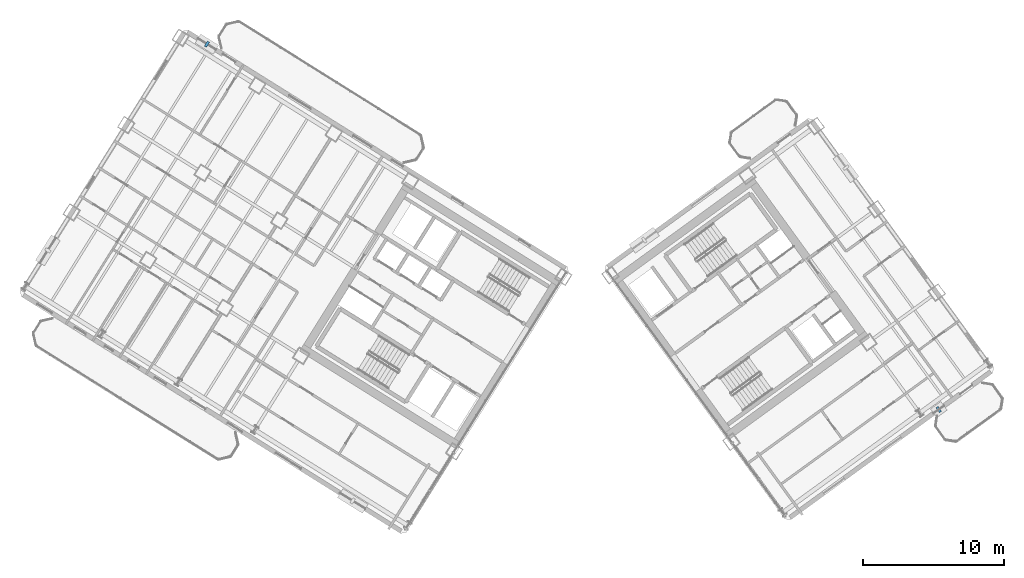
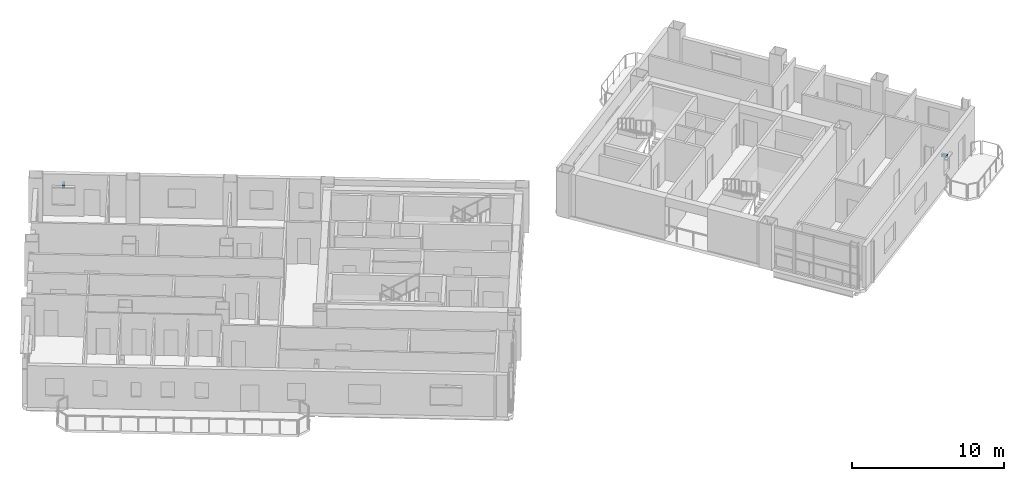
# One storey, part 15 of 19: 2 discrete accessories.
"""IFC4 building model written with IfcOpenShell, lengths in metres."""

from ifc_helpers import new_model, si_unit, direction, frame, origin, origin_2d, place, context, subcontext, project, spatial, rectangle, extrude, source, transform, mapped, material, type_object, element, save


model = new_model("IFC4")

# Units and contexts
model_context = context("Model", 3, precision=1e-05, world=origin(), true_north=direction((0.0, 1.0)))
body_context = subcontext(model_context, "Body", "Model", "MODEL_VIEW")
ifc_project = project(units=[si_unit("LENGTHUNIT", "METRE"), si_unit("AREAUNIT", "SQUARE_METRE"), si_unit("VOLUMEUNIT", "CUBIC_METRE"), si_unit("PLANEANGLEUNIT", "RADIAN"), si_unit("MASSUNIT", "GRAM", prefix="KILO")], contexts=[model_context])

# Site, building, storey
site_placement = place(None, origin())
site = spatial("IfcSite", under=ifc_project, at=site_placement, CompositionType="ELEMENT")
building_placement = place(site_placement, origin())
building = spatial("IfcBuilding", under=site, at=building_placement, Name="Tlacorven Tower", CompositionType="ELEMENT")
storey_placement = place(building_placement, frame((0.0, 0.0, 147.89990234375)))
storey = spatial("IfcBuildingStorey", under=building, at=storey_placement, Name="L37", CompositionType="ELEMENT", Elevation=147.89990234375)

# Discrete accessories
ifc_material = material(Name="Steel S355J2", Category="steel")
discrete_accessory_type = type_object("IfcDiscreteAccessoryType", Name="ACC-BRK-01", PredefinedType="BRACKET", material=ifc_material)
shared_shape = source(origin(), body_context, "Body", "SweptSolid", [
    extrude(rectangle(XDim=0.179931640625, YDim=0.419921875, at=origin_2d()), origin(), (0.0, 0.0, 1.0), 0.219970703125),
])
for number, where, z_axis, x_axis, name in (
    (1, (15.504638671875, 40.971435546875, 2.2802734375), (0.0, 0.0, 1.0), (0.84804812172, -0.529919223323, 0.0), "L37 Sunshade Bracket L37-03.1"),
    (2, (67.413818359375, 15.054443359375, 2.18017578125), (0.0, 0.0, 1.0), (-0.809017097486, -0.587785110372, 0.0), "L37 Sunshade Bracket L37-06.1"),
):
    element("IfcDiscreteAccessory", number, at=place(storey_placement, frame(where, z_axis=z_axis, x_axis=x_axis)), inside=storey, type_object=discrete_accessory_type, Name=name, PredefinedType="BRACKET", context=body_context, shape_type="MappedRepresentation", body=[
        mapped(shared_shape, transform((0.0, 0.0, 0.0), scale=1.0)),
    ])

save(model, "model.ifc")
